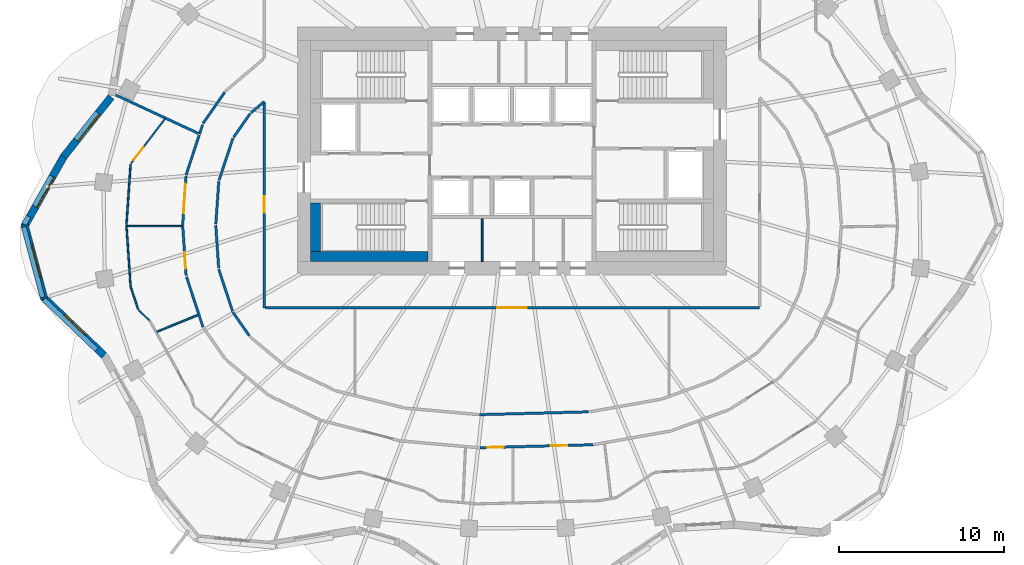
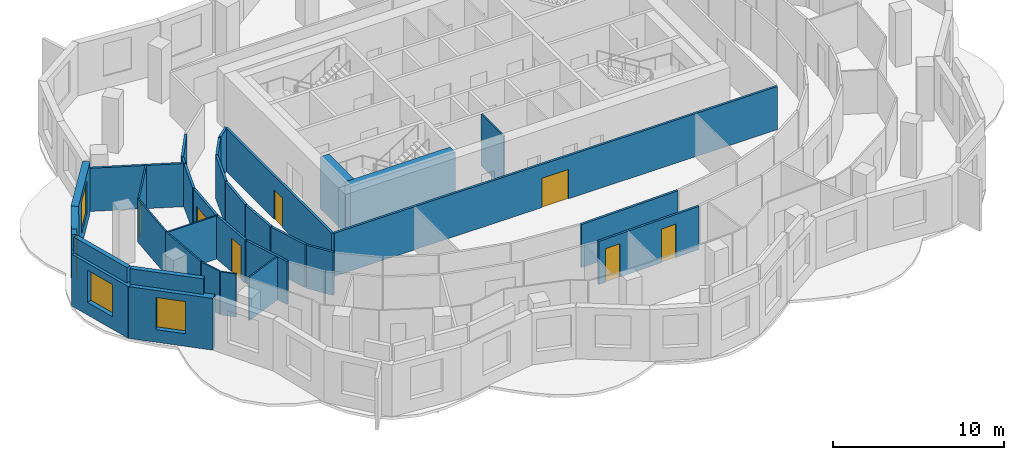
# One storey, part 4 of 11: 35 walls, 7 doors, 4 windows, 11 openings.
"""IFC4 building model written with IfcOpenShell, lengths in metres."""

from ifc_helpers import new_model, si_unit, direction, frame, frame_2d, origin, place, context, subcontext, project, spatial, rectangle, extrude, material, layer, layer_set, type_object, element, fill, save


model = new_model("IFC4")

# Units and contexts
model_context = context("Model", 3, precision=1e-05, world=origin(), true_north=direction((0.0, 1.0)))
body_context = subcontext(model_context, "Body", "Model", "MODEL_VIEW")
ifc_project = project(units=[si_unit("LENGTHUNIT", "METRE"), si_unit("AREAUNIT", "SQUARE_METRE"), si_unit("VOLUMEUNIT", "CUBIC_METRE"), si_unit("PLANEANGLEUNIT", "RADIAN"), si_unit("MASSUNIT", "GRAM", prefix="KILO")], contexts=[model_context])

# Site, building, storey
site_placement = place(None, origin())
site = spatial("IfcSite", under=ifc_project, at=site_placement, CompositionType="ELEMENT")
building_placement = place(site_placement, origin())
building = spatial("IfcBuilding", under=site, at=building_placement, Name="Rubra Terraces Tower", CompositionType="ELEMENT")
storey_placement = place(building_placement, frame((0.0, 0.0, 185.699951171875)))
storey = spatial("IfcBuildingStorey", under=building, at=storey_placement, Name="L45", CompositionType="ELEMENT", Elevation=185.699951171875)

# Wall, opening, window
ifc_material_1 = material(Name="Brick masonry red-brown", Category="masonry")
ifc_layer_1 = layer(ifc_material_1, 0.449951171875)
ifc_layer_set_1 = layer_set([ifc_layer_1], Name="Brick masonry red-brown")
wall_type_1 = type_object("IfcWallType", Name="Brick facade wall 450", PredefinedType="SOLIDWALL", material=ifc_layer_set_1)
wall_1_placement = place(storey_placement, frame((-24.2822265625, 7.773681640625, 0.0), z_axis=(0.0, 0.0, 1.0), x_axis=(-0.621735490397, -0.783227285008, 0.0)))
wall_1 = element("IfcWall", 1, at=wall_1_placement, inside=storey, type_object=wall_type_1, Name="Facade wall L45 bay 19", PredefinedType="SOLIDWALL", context=body_context, shape_type="SweptSolid", body=[
    extrude(rectangle(XDim=4.62451171875, YDim=0.449951171875, at=frame_2d((2.312255859375, 0.0))), origin(), (0.0, 0.0, 1.0), 3.699951171875),
])
opening_1_placement = place(wall_1_placement, frame((1.26220703125, 0.0, 0.89990234375)))
opening_1 = element("IfcOpeningElement", 2, at=opening_1_placement, cuts=wall_1, Name="Opening W1B", PredefinedType="OPENING", context=body_context, shape_type="SweptSolid", body=[
    extrude(rectangle(XDim=2.10009765625, YDim=2.300048828125, at=frame_2d((1.050048828125, 1.14990234375))), frame((0.0, 0.23486328125, 0.0), z_axis=(0.0, -1.0, 0.0), x_axis=(1.0, 0.0, 0.0)), (0.0, 0.0, 1.0), 0.469970703125),
])
ifc_material_2 = material(Name="Clear glass in aluminium frame", Category="aluminium")
window_type_1 = type_object("IfcWindowType", Name="Fixed deep-set window tall storey 2100 x 2300", PartitioningType="SINGLE_PANEL", PredefinedType="WINDOW", material=ifc_material_2)
window_1_placement = place(opening_1_placement, origin())
window_1 = element("IfcWindow", 3, at=window_1_placement, inside=storey, type_object=window_type_1, Name="Window L45 bay 19", OverallHeight=2.300048828125, OverallWidth=2.10009765625, PartitioningType="SINGLE_PANEL", PredefinedType="WINDOW", context=body_context, shape_type="SweptSolid", body=[
    extrude(rectangle(XDim=2.10009765625, YDim=2.300048828125, at=frame_2d((1.050048828125, 1.14990234375))), frame((0.0, 0.135009765625, 0.0), z_axis=(0.0, -1.0, 0.0), x_axis=(1.0, 0.0, 0.0)), (0.0, 0.0, 1.0), 0.06005859375),
])
fill(opening_1, window_1)

wall_2_placement = place(storey_placement, frame((-27.138427734375, 4.180908203125, 0.0), z_axis=(0.0, 0.0, 1.0), x_axis=(-0.491588303761, -0.870827732451, 0.0)))
wall_2 = element("IfcWall", 4, at=wall_2_placement, inside=storey, type_object=wall_type_1, Name="Facade wall L45 bay 20", PredefinedType="SOLIDWALL", context=body_context, shape_type="SweptSolid", body=[
    extrude(rectangle(XDim=4.924072265625, YDim=0.449951171875, at=frame_2d((2.4619140625, 0.0))), origin(), (0.0, 0.0, 1.0), 3.699951171875),
])
opening_2_placement = place(wall_2_placement, frame((1.412109375, 0.0, 0.89990234375)))
opening_2 = element("IfcOpeningElement", 5, at=opening_2_placement, cuts=wall_2, Name="Opening W1B", PredefinedType="OPENING", context=body_context, shape_type="SweptSolid", body=[
    extrude(rectangle(XDim=2.10009765625, YDim=2.300048828125, at=frame_2d((1.050048828125, 1.14990234375))), frame((0.0, 0.23486328125, 0.0), z_axis=(0.0, -1.0, 0.0), x_axis=(1.0, 0.0, 0.0)), (0.0, 0.0, 1.0), 0.469970703125),
])
window_2_placement = place(opening_2_placement, origin())
window_2 = element("IfcWindow", 6, at=window_2_placement, inside=storey, type_object=window_type_1, Name="Window L45 bay 20", OverallHeight=2.300048828125, OverallWidth=2.10009765625, PartitioningType="SINGLE_PANEL", PredefinedType="WINDOW", context=body_context, shape_type="SweptSolid", body=[
    extrude(rectangle(XDim=2.10009765625, YDim=2.300048828125, at=frame_2d((1.050048828125, 1.14990234375))), frame((0.0, 0.135009765625, 0.0), z_axis=(0.0, -1.0, 0.0), x_axis=(1.0, 0.0, 0.0)), (0.0, 0.0, 1.0), 0.06005859375),
])
fill(opening_2, window_2)

wall_3_placement = place(storey_placement, frame((-29.539794921875, 0.05810546875, 0.0), z_axis=(0.0, 0.0, 1.0), x_axis=(0.258581372102, -0.96598947924, 0.0)))
wall_3 = element("IfcWall", 7, at=wall_3_placement, inside=storey, type_object=wall_type_1, Name="Facade wall L45 bay 21", PredefinedType="SOLIDWALL", context=body_context, shape_type="SweptSolid", body=[
    extrude(rectangle(XDim=4.68017578125, YDim=0.449951171875, at=frame_2d((2.340087890625, 0.0))), origin(), (0.0, 0.0, 1.0), 3.699951171875),
])
opening_3_placement = place(wall_3_placement, frame((1.2900390625, 0.0, 0.89990234375)))
opening_3 = element("IfcOpeningElement", 8, at=opening_3_placement, cuts=wall_3, Name="Opening W1B", PredefinedType="OPENING", context=body_context, shape_type="SweptSolid", body=[
    extrude(rectangle(XDim=2.10009765625, YDim=2.300048828125, at=frame_2d((1.050048828125, 1.14990234375))), frame((0.0, 0.23486328125, 0.0), z_axis=(0.0, -1.0, 0.0), x_axis=(1.0, 0.0, 0.0)), (0.0, 0.0, 1.0), 0.469970703125),
])
window_3_placement = place(opening_3_placement, origin())
window_3 = element("IfcWindow", 9, at=window_3_placement, inside=storey, type_object=window_type_1, Name="Window L45 bay 21", OverallHeight=2.300048828125, OverallWidth=2.10009765625, PartitioningType="SINGLE_PANEL", PredefinedType="WINDOW", context=body_context, shape_type="SweptSolid", body=[
    extrude(rectangle(XDim=2.10009765625, YDim=2.300048828125, at=frame_2d((1.050048828125, 1.14990234375))), frame((0.0, 0.135009765625, 0.0), z_axis=(0.0, -1.0, 0.0), x_axis=(1.0, 0.0, 0.0)), (0.0, 0.0, 1.0), 0.06005859375),
])
fill(opening_3, window_3)

wall_4_placement = place(storey_placement, frame((-28.38720703125, -4.362548828125, 0.0), z_axis=(0.0, 0.0, 1.0), x_axis=(0.722717697728, -0.691143349379, 0.0)))
wall_4 = element("IfcWall", 10, at=wall_4_placement, inside=storey, type_object=wall_type_1, Name="Facade wall L45 bay 22", PredefinedType="SOLIDWALL", context=body_context, shape_type="SweptSolid", body=[
    extrude(rectangle(XDim=5.103271484375, YDim=0.449951171875, at=frame_2d((2.5517578125, 0.0))), origin(), (0.0, 0.0, 1.0), 3.699951171875),
])
opening_4_placement = place(wall_4_placement, frame((1.651611328125, 0.0, 0.89990234375)))
opening_4 = element("IfcOpeningElement", 11, at=opening_4_placement, cuts=wall_4, Name="Opening W6B", PredefinedType="OPENING", context=body_context, shape_type="SweptSolid", body=[
    extrude(rectangle(XDim=1.800048828125, YDim=2.300048828125, at=frame_2d((0.89990234375, 1.14990234375))), frame((0.0, 0.23486328125, 0.0), z_axis=(0.0, -1.0, 0.0), x_axis=(1.0, 0.0, 0.0)), (0.0, 0.0, 1.0), 0.469970703125),
])
window_type_2 = type_object("IfcWindowType", Name="Fixed deep-set window at wind fin tall storey 1800 x 2300", PartitioningType="SINGLE_PANEL", PredefinedType="WINDOW", material=ifc_material_2)
window_4_placement = place(opening_4_placement, origin())
window_4 = element("IfcWindow", 12, at=window_4_placement, inside=storey, type_object=window_type_2, Name="Window L45 bay 22", OverallHeight=2.300048828125, OverallWidth=1.800048828125, PartitioningType="SINGLE_PANEL", PredefinedType="WINDOW", context=body_context, shape_type="SweptSolid", body=[
    extrude(rectangle(XDim=1.800048828125, YDim=2.300048828125, at=frame_2d((0.89990234375, 1.14990234375))), frame((0.0, 0.135009765625, 0.0), z_axis=(0.0, -1.0, 0.0), x_axis=(1.0, 0.0, 0.0)), (0.0, 0.0, 1.0), 0.06005859375),
])
fill(opening_4, window_4)

# Walls
ifc_layer_2 = layer(ifc_material_1, 0.300048828125)
ifc_layer_set_2 = layer_set([ifc_layer_2], Name="Brick masonry red-brown")
wall_type_2 = type_object("IfcWallType", Name="Brick parapet 300", PredefinedType="PARAPET", material=ifc_layer_set_2)
wall_5_placement = place(storey_placement, frame((-29.27880859375, 0.541748046875, 3.900146484375), z_axis=(0.0, 0.0, 1.0), x_axis=(-0.491912136679, -0.870644847103, 0.0)))
element("IfcWall", 13, at=wall_5_placement, inside=storey, type_object=wall_type_2, Name="Parapet L45 bay 20", PredefinedType="PARAPET", context=body_context, shape_type="SweptSolid", body=[
    extrude(rectangle(XDim=0.554443359375, YDim=0.300048828125, at=frame_2d((0.27734375, 0.0))), origin(), (0.0, 0.0, 1.0), 1.099853515625),
])
for number, where, z_axis, x_axis, name in (
    (14, (-29.57275390625, -0.1083984375, 3.900146484375), (0.0, 0.0, 1.0), (0.258523195294, -0.96600505045, 0.0), "Parapet L45 bay 21"),
    (15, (-28.36083984375, -4.491455078125, 3.900146484375), (0.0, 0.0, 1.0), (0.722694709068, -0.691167387457, 0.0), "Parapet L45 bay 22"),
):
    element("IfcWall", number, at=place(storey_placement, frame(where, z_axis=z_axis, x_axis=x_axis)), inside=storey, type_object=wall_type_2, Name=name, PredefinedType="PARAPET", context=body_context, shape_type="SweptSolid", body=[
        extrude(rectangle(XDim=4.4140625, YDim=0.300048828125, at=frame_2d((2.20703125, 0.0))), origin(), (0.0, 0.0, 1.0), 1.099853515625),
    ])
ifc_material_3 = material(Name="Plasterboard on steel stud, mineral wool infill", Category="steel")
ifc_layer_3 = layer(ifc_material_3, 0.14990234375)
ifc_layer_set_3 = layer_set([ifc_layer_3], Name="Plasterboard on steel stud, mineral wool infill")
wall_type_3 = type_object("IfcWallType", Name="CORRIDOR PARTITION 150", PredefinedType="PARTITIONING", material=ifc_layer_set_3)
wall_6_placement = place(storey_placement, frame((-17.3974609375, 8.0615234375, 0.0), z_axis=(0.0, 0.0, 1.0), x_axis=(-0.572118665737, -0.820170855563, 0.0)))
element("IfcWall", 16, at=wall_6_placement, inside=storey, type_object=wall_type_3, Name="PARTITION", PredefinedType="PARTITIONING", context=body_context, shape_type="SweptSolid", body=[
    extrude(rectangle(XDim=2.30615234375, YDim=0.14990234375, at=frame_2d((1.153076171875, 0.0))), origin(), (0.0, 0.0, 1.0), 3.083984375),
])
wall_7_placement = place(storey_placement, frame((-18.740234375, 6.098876953125, 0.0), z_axis=(0.0, 0.0, 1.0), x_axis=(-0.311689742103, -0.950183932019, 0.0)))
element("IfcWall", 17, at=wall_7_placement, inside=storey, type_object=wall_type_3, Name="PARTITION", PredefinedType="PARTITIONING", context=body_context, shape_type="SweptSolid", body=[
    extrude(rectangle(XDim=0.59765625, YDim=0.14990234375, at=frame_2d((0.298828125, 0.0))), origin(), (0.0, 0.0, 1.0), 3.083984375),
])
wall_8_placement = place(storey_placement, frame((-18.949951171875, 5.459716796875, 0.0), z_axis=(0.0, 0.0, 1.0), x_axis=(-0.311917216049, -0.950109283363, 0.0)))
element("IfcWall", 18, at=wall_8_placement, inside=storey, type_object=wall_type_3, Name="PARTITION", PredefinedType="PARTITIONING", context=body_context, shape_type="SweptSolid", body=[
    extrude(rectangle(XDim=2.53369140625, YDim=0.14990234375, at=frame_2d((1.266845703125, 0.0))), origin(), (0.0, 0.0, 1.0), 3.083984375),
])

# Wall, opening, door
wall_9_placement = place(storey_placement, frame((-19.745361328125, 2.9775390625, 0.0), z_axis=(0.0, 0.0, 1.0), x_axis=(-0.068142324, -0.997675610447, 0.0)))
wall_9 = element("IfcWall", 19, at=wall_9_placement, inside=storey, type_object=wall_type_3, Name="PARTITION", PredefinedType="PARTITIONING", context=body_context, shape_type="SweptSolid", body=[
    extrude(rectangle(XDim=2.984375, YDim=0.14990234375, at=frame_2d((1.4921875, 0.0))), origin(), (0.0, 0.0, 1.0), 3.083984375),
])
opening_5_placement = place(wall_9_placement, frame((0.449951171875, 0.0, 0.0)))
opening_5 = element("IfcOpeningElement", 20, at=opening_5_placement, cuts=wall_9, Name="Opening 45-102", PredefinedType="OPENING", context=body_context, shape_type="SweptSolid", body=[
    extrude(rectangle(XDim=1.800048828125, YDim=2.10009765625, at=frame_2d((0.89990234375, 1.050048828125))), frame((0.0, 0.0849609375, 0.0), z_axis=(0.0, -1.0, 0.0), x_axis=(1.0, 0.0, 0.0)), (0.0, 0.0, 1.0), 0.169921875),
])
ifc_material_4 = material(Name="Painted timber door leaf, double", Category="wood")
door_type_1 = type_object("IfcDoorType", Name="ROOM DOUBLE DOOR 1800 X 2100", OperationType="DOUBLE_DOOR_SINGLE_SWING", PredefinedType="DOOR", material=ifc_material_4)
door_1_placement = place(opening_5_placement, origin())
door_1 = element("IfcDoor", 21, at=door_1_placement, inside=storey, type_object=door_type_1, Name="DOOR 45-102", OperationType="DOUBLE_DOOR_SINGLE_SWING", OverallHeight=2.10009765625, OverallWidth=1.800048828125, PredefinedType="DOOR", context=body_context, shape_type="SweptSolid", body=[
    extrude(rectangle(XDim=1.800048828125, YDim=2.10009765625, at=frame_2d((0.89990234375, 1.050048828125))), frame((0.0, 0.02490234375, 0.0), z_axis=(0.0, -1.0, 0.0), x_axis=(1.0, 0.0, 0.0)), (0.0, 0.0, 1.0), 0.050048828125),
])
fill(opening_5, door_1)

wall_10_placement = place(storey_placement, frame((-19.943603515625, -0.07470703125, 0.0), z_axis=(0.0, 0.0, 1.0), x_axis=(0.068136763128, -0.997675990245, 0.0)))
wall_10 = element("IfcWall", 22, at=wall_10_placement, inside=storey, type_object=wall_type_3, Name="PARTITION", PredefinedType="PARTITIONING", context=body_context, shape_type="SweptSolid", body=[
    extrude(rectangle(XDim=2.984619140625, YDim=0.14990234375, at=frame_2d((1.4921875, 0.0))), origin(), (0.0, 0.0, 1.0), 3.083984375),
])
opening_6_placement = place(wall_10_placement, frame((1.550048828125, 0.0, 0.0)))
opening_6 = element("IfcOpeningElement", 23, at=opening_6_placement, cuts=wall_10, Name="Opening 45-104", PredefinedType="OPENING", context=body_context, shape_type="SweptSolid", body=[
    extrude(rectangle(XDim=1.0, YDim=2.39990234375, at=frame_2d((0.5, 1.199951171875))), frame((0.0, 0.0849609375, 0.0), z_axis=(0.0, -1.0, 0.0), x_axis=(1.0, 0.0, 0.0)), (0.0, 0.0, 1.0), 0.169921875),
])
ifc_material_5 = material(Name="Glazed aluminium meeting door leaf", Category="aluminium")
door_type_2 = type_object("IfcDoorType", Name="MEETING ROOM GLAZED DOOR 1000 X 2400", OperationType="SINGLE_SWING_LEFT", PredefinedType="DOOR", material=ifc_material_5)
door_2_placement = place(opening_6_placement, origin())
door_2 = element("IfcDoor", 24, at=door_2_placement, inside=storey, type_object=door_type_2, Name="DOOR 45-104", OperationType="SINGLE_SWING_RIGHT", OverallHeight=2.39990234375, OverallWidth=1.0, PredefinedType="DOOR", context=body_context, shape_type="SweptSolid", body=[
    extrude(rectangle(XDim=1.0, YDim=2.39990234375, at=frame_2d((0.5, 1.199951171875))), frame((0.0, 0.02490234375, 0.0), z_axis=(0.0, -1.0, 0.0), x_axis=(1.0, 0.0, 0.0)), (0.0, 0.0, 1.0), 0.050048828125),
])
fill(opening_6, door_2)

# Wall
wall_11_placement = place(storey_placement, frame((-19.716796875, -3.123779296875, 0.0), z_axis=(0.0, 0.0, 1.0), x_axis=(0.31188427026, -0.950120098706, 0.0)))
element("IfcWall", 25, at=wall_11_placement, inside=storey, type_object=wall_type_3, Name="PARTITION", PredefinedType="PARTITIONING", context=body_context, shape_type="SweptSolid", body=[
    extrude(rectangle(XDim=3.206298828125, YDim=0.14990234375, at=frame_2d((1.60302734375, 0.0))), origin(), (0.0, 0.0, 1.0), 3.083984375),
])

# Wall, openings, doors
wall_12_placement = place(storey_placement, frame((-1.951171875, -13.472412109375, 0.0), z_axis=(0.0, 0.0, 1.0), x_axis=(0.999663898238, 0.025924709429, 0.0)))
wall_12 = element("IfcWall", 26, at=wall_12_placement, inside=storey, type_object=wall_type_3, Name="PARTITION", PredefinedType="PARTITIONING", context=body_context, shape_type="SweptSolid", body=[
    extrude(rectangle(XDim=6.87451171875, YDim=0.14990234375, at=frame_2d((3.437255859375, 0.0))), origin(), (0.0, 0.0, 1.0), 3.083984375),
])
opening_7_placement = place(wall_12_placement, frame((0.449951171875, 0.0, 0.0)))
opening_7 = element("IfcOpeningElement", 27, at=opening_7_placement, cuts=wall_12, Name="Opening 45-109", PredefinedType="OPENING", context=body_context, shape_type="SweptSolid", body=[
    extrude(rectangle(XDim=1.0, YDim=2.39990234375, at=frame_2d((0.5, 1.199951171875))), frame((0.0, 0.0849609375, 0.0), z_axis=(0.0, -1.0, 0.0), x_axis=(1.0, 0.0, 0.0)), (0.0, 0.0, 1.0), 0.169921875),
])
opening_8_placement = place(wall_12_placement, frame((4.285888671875, 0.0, 0.0)))
opening_8 = element("IfcOpeningElement", 28, at=opening_8_placement, cuts=wall_12, Name="Opening 45-110", PredefinedType="OPENING", context=body_context, shape_type="SweptSolid", body=[
    extrude(rectangle(XDim=1.0, YDim=2.39990234375, at=frame_2d((0.5, 1.199951171875))), frame((0.0, 0.0849609375, 0.0), z_axis=(0.0, -1.0, 0.0), x_axis=(1.0, 0.0, 0.0)), (0.0, 0.0, 1.0), 0.169921875),
])
door_3_placement = place(opening_7_placement, origin())
door_3 = element("IfcDoor", 29, at=door_3_placement, inside=storey, type_object=door_type_2, Name="DOOR 45-109", OperationType="SINGLE_SWING_RIGHT", OverallHeight=2.39990234375, OverallWidth=1.0, PredefinedType="DOOR", context=body_context, shape_type="SweptSolid", body=[
    extrude(rectangle(XDim=1.0, YDim=2.39990234375, at=frame_2d((0.5, 1.199951171875))), frame((0.0, 0.02490234375, 0.0), z_axis=(0.0, -1.0, 0.0), x_axis=(1.0, 0.0, 0.0)), (0.0, 0.0, 1.0), 0.050048828125),
])
fill(opening_7, door_3)
door_4_placement = place(opening_8_placement, origin())
door_4 = element("IfcDoor", 30, at=door_4_placement, inside=storey, type_object=door_type_2, Name="DOOR 45-110", OperationType="SINGLE_SWING_RIGHT", OverallHeight=2.39990234375, OverallWidth=1.0, PredefinedType="DOOR", context=body_context, shape_type="SweptSolid", body=[
    extrude(rectangle(XDim=1.0, YDim=2.39990234375, at=frame_2d((0.5, 1.199951171875))), frame((0.0, 0.02490234375, 0.0), z_axis=(0.0, -1.0, 0.0), x_axis=(1.0, 0.0, 0.0)), (0.0, 0.0, 1.0), 0.050048828125),
])
fill(opening_8, door_4)

# Walls
wall_13_placement = place(storey_placement, frame((4.64453125, -11.30078125, 0.0), z_axis=(0.0, 0.0, 1.0), x_axis=(-0.9996648469, -0.02588810291, 0.0)))
element("IfcWall", 31, at=wall_13_placement, inside=storey, type_object=wall_type_3, Name="PARTITION", PredefinedType="PARTITIONING", context=body_context, shape_type="SweptSolid", body=[
    extrude(rectangle(XDim=6.61083984375, YDim=0.14990234375, at=frame_2d((3.305419921875, 0.0))), origin(), (0.0, 0.0, 1.0), 3.083984375),
])
wall_14_placement = place(storey_placement, frame((-15.911865234375, -6.695556640625, 0.0), z_axis=(0.0, 0.0, 1.0), x_axis=(-0.572078533763, 0.820198848578, 0.0)))
element("IfcWall", 32, at=wall_14_placement, inside=storey, type_object=wall_type_3, Name="PARTITION", PredefinedType="PARTITIONING", context=body_context, shape_type="SweptSolid", body=[
    extrude(rectangle(XDim=1.74169921875, YDim=0.14990234375, at=frame_2d((0.870849609375, 0.0))), origin(), (0.0, 0.0, 1.0), 3.083984375),
])
wall_15_placement = place(storey_placement, frame((-16.931640625, -5.19580078125, 0.0), z_axis=(0.0, 0.0, 1.0), x_axis=(-0.311904957484, 0.950113307715, 0.0)))
element("IfcWall", 33, at=wall_15_placement, inside=storey, type_object=wall_type_3, Name="PARTITION", PredefinedType="PARTITIONING", context=body_context, shape_type="SweptSolid", body=[
    extrude(rectangle(XDim=2.662109375, YDim=0.14990234375, at=frame_2d((1.3310546875, 0.0))), origin(), (0.0, 0.0, 1.0), 3.083984375),
])
wall_16_placement = place(storey_placement, frame((-17.76708984375, -2.591552734375, 0.0), z_axis=(0.0, 0.0, 1.0), x_axis=(-0.068140828228, 0.997675712608, 0.0)))
element("IfcWall", 34, at=wall_16_placement, inside=storey, type_object=wall_type_3, Name="PARTITION", PredefinedType="PARTITIONING", context=body_context, shape_type="SweptSolid", body=[
    extrude(rectangle(XDim=2.59765625, YDim=0.14990234375, at=frame_2d((1.298828125, 0.0))), origin(), (0.0, 0.0, 1.0), 3.083984375),
])
wall_17_placement = place(storey_placement, frame((-17.939208984375, 0.07470703125, 0.0), z_axis=(0.0, 0.0, 1.0), x_axis=(0.068227980697, 0.997669756307, 0.0)))
element("IfcWall", 35, at=wall_17_placement, inside=storey, type_object=wall_type_3, Name="PARTITION", PredefinedType="PARTITIONING", context=body_context, shape_type="SweptSolid", body=[
    extrude(rectangle(XDim=2.597900390625, YDim=0.14990234375, at=frame_2d((1.298828125, 0.0))), origin(), (0.0, 0.0, 1.0), 3.083984375),
])
wall_18_placement = place(storey_placement, frame((-17.738525390625, 2.73779296875, 0.0), z_axis=(0.0, 0.0, 1.0), x_axis=(0.311904957484, 0.950113307715, 0.0)))
element("IfcWall", 36, at=wall_18_placement, inside=storey, type_object=wall_type_3, Name="PARTITION", PredefinedType="PARTITIONING", context=body_context, shape_type="SweptSolid", body=[
    extrude(rectangle(XDim=2.662109375, YDim=0.14990234375, at=frame_2d((1.3310546875, 0.0))), origin(), (0.0, 0.0, 1.0), 3.083984375),
])
wall_19_placement = place(storey_placement, frame((-16.865478515625, 5.32861328125, 0.0), z_axis=(0.0, 0.0, 1.0), x_axis=(0.572096615639, 0.820186236397, 0.0)))
element("IfcWall", 37, at=wall_19_placement, inside=storey, type_object=wall_type_3, Name="PARTITION", PredefinedType="PARTITIONING", context=body_context, shape_type="SweptSolid", body=[
    extrude(rectangle(XDim=1.752685546875, YDim=0.14990234375, at=frame_2d((0.87646484375, 0.0))), origin(), (0.0, 0.0, 1.0), 3.083984375),
])
wall_20_placement = place(storey_placement, frame((-15.805419921875, 6.814453125, 0.0), z_axis=(0.0, 0.0, 1.0), x_axis=(0.762298381233, 0.647225755027, 0.0)))
element("IfcWall", 38, at=wall_20_placement, inside=storey, type_object=wall_type_3, Name="PARTITION", PredefinedType="PARTITIONING", context=body_context, shape_type="SweptSolid", body=[
    extrude(rectangle(XDim=1.056640625, YDim=0.14990234375, at=frame_2d((0.5283203125, 0.0))), origin(), (0.0, 0.0, 1.0), 3.083984375),
])

# Wall, opening, door
wall_21_placement = place(storey_placement, frame((-15.0, 7.423095703125, 0.0), z_axis=(0.0, 0.0, 1.0), x_axis=(0.0, -1.0, 0.0)))
wall_21 = element("IfcWall", 39, at=wall_21_placement, inside=storey, type_object=wall_type_3, Name="PARTITION", PredefinedType="PARTITIONING", context=body_context, shape_type="SweptSolid", body=[
    extrude(rectangle(XDim=12.423095703125, YDim=0.14990234375, at=frame_2d((6.21142578125, 0.0))), origin(), (0.0, 0.0, 1.0), 3.083984375),
])
opening_9_placement = place(wall_21_placement, frame((5.674072265625, 0.0, 0.0)))
opening_9 = element("IfcOpeningElement", 40, at=opening_9_placement, cuts=wall_21, Name="Opening 45-119", PredefinedType="OPENING", context=body_context, shape_type="SweptSolid", body=[
    extrude(rectangle(XDim=1.0, YDim=2.10009765625, at=frame_2d((0.5, 1.050048828125))), frame((0.0, 0.0849609375, 0.0), z_axis=(0.0, -1.0, 0.0), x_axis=(1.0, 0.0, 0.0)), (0.0, 0.0, 1.0), 0.169921875),
])
ifc_material_6 = material(Name="Painted timber door leaf", Category="wood")
door_type_3 = type_object("IfcDoorType", Name="ROOM DOOR 1000 X 2100", OperationType="SINGLE_SWING_LEFT", PredefinedType="DOOR", material=ifc_material_6)
door_5_placement = place(opening_9_placement, origin())
door_5 = element("IfcDoor", 41, at=door_5_placement, inside=storey, type_object=door_type_3, Name="DOOR 45-119", OperationType="SINGLE_SWING_RIGHT", OverallHeight=2.10009765625, OverallWidth=1.0, PredefinedType="DOOR", context=body_context, shape_type="SweptSolid", body=[
    extrude(rectangle(XDim=1.0, YDim=2.10009765625, at=frame_2d((0.5, 1.050048828125))), frame((0.0, 0.02490234375, 0.0), z_axis=(0.0, -1.0, 0.0), x_axis=(1.0, 0.0, 0.0)), (0.0, 0.0, 1.0), 0.050048828125),
])
fill(opening_9, door_5)

wall_22_placement = place(storey_placement, frame((-14.925048828125, -5.0, 0.0), z_axis=(0.0, 0.0, 1.0), x_axis=(1.0, 0.0, 0.0)))
wall_22 = element("IfcWall", 42, at=wall_22_placement, inside=storey, type_object=wall_type_3, Name="PARTITION", PredefinedType="PARTITIONING", context=body_context, shape_type="SweptSolid", body=[
    extrude(rectangle(XDim=29.925048828125, YDim=0.14990234375, at=frame_2d((14.96240234375, 0.0))), origin(), (0.0, 0.0, 1.0), 3.083984375),
])
opening_10_placement = place(wall_22_placement, frame((14.02490234375, 0.0, 0.0)))
opening_10 = element("IfcOpeningElement", 43, at=opening_10_placement, cuts=wall_22, Name="Opening 45-120", PredefinedType="OPENING", context=body_context, shape_type="SweptSolid", body=[
    extrude(rectangle(XDim=1.800048828125, YDim=2.10009765625, at=frame_2d((0.89990234375, 1.050048828125))), frame((0.0, 0.0849609375, 0.0), z_axis=(0.0, -1.0, 0.0), x_axis=(1.0, 0.0, 0.0)), (0.0, 0.0, 1.0), 0.169921875),
])
door_6_placement = place(opening_10_placement, origin())
door_6 = element("IfcDoor", 44, at=door_6_placement, inside=storey, type_object=door_type_1, Name="DOOR 45-120", OperationType="DOUBLE_DOOR_SINGLE_SWING", OverallHeight=2.10009765625, OverallWidth=1.800048828125, PredefinedType="DOOR", context=body_context, shape_type="SweptSolid", body=[
    extrude(rectangle(XDim=1.800048828125, YDim=2.10009765625, at=frame_2d((0.89990234375, 1.050048828125))), frame((0.0, 0.02490234375, 0.0), z_axis=(0.0, -1.0, 0.0), x_axis=(1.0, 0.0, 0.0)), (0.0, 0.0, 1.0), 0.050048828125),
])
fill(opening_10, door_6)

# Walls
ifc_material_7 = material(Name="Concrete C40", Category="concrete")
ifc_layer_4 = layer(ifc_material_7, 0.60009765625)
ifc_layer_set_4 = layer_set([ifc_layer_4], Name="Concrete C40")
wall_type_4 = type_object("IfcWallType", Name="Core lining wall 600 concrete", PredefinedType="SOLIDWALL", material=ifc_layer_set_4)
wall_23_placement = place(storey_placement, frame((-12.199951171875, -1.89990234375, 0.0), z_axis=(0.0, 0.0, 1.0), x_axis=(1.0, 0.0, 0.0)))
element("IfcWall", 45, at=wall_23_placement, inside=storey, type_object=wall_type_4, Name="CORE LINING WALL L45", PredefinedType="SOLIDWALL", context=body_context, shape_type="SweptSolid", body=[
    extrude(rectangle(XDim=7.099853515625, YDim=0.60009765625, at=frame_2d((3.5498046875, 0.0))), origin(), (0.0, 0.0, 1.0), 3.699951171875),
])
wall_24_placement = place(storey_placement, frame((-11.89990234375, -1.60009765625, 0.0), z_axis=(0.0, 0.0, 1.0), x_axis=(0.0, 1.0, 0.0)))
element("IfcWall", 46, at=wall_24_placement, inside=storey, type_object=wall_type_4, Name="CORE LINING WALL L45", PredefinedType="SOLIDWALL", context=body_context, shape_type="SweptSolid", body=[
    extrude(rectangle(XDim=2.9501953125, YDim=0.60009765625, at=frame_2d((1.47509765625, 0.0))), origin(), (0.0, 0.0, 1.0), 3.699951171875),
])
ifc_material_8 = material(Name="Plasterboard on steel stud", Category="steel")
ifc_layer_5 = layer(ifc_material_8, 0.10009765625)
ifc_layer_set_5 = layer_set([ifc_layer_5], Name="Plasterboard on steel stud")
wall_type_5 = type_object("IfcWallType", Name="ROOM PARTITION 100", PredefinedType="PARTITIONING", material=ifc_layer_set_5)
wall_25_placement = place(storey_placement, frame((-21.9716796875, -5.7587890625, 0.0), z_axis=(0.0, 0.0, 1.0), x_axis=(-0.722767970173, 0.691090776448, 0.0)))
element("IfcWall", 47, at=wall_25_placement, inside=storey, type_object=wall_type_5, Name="PARTITION", PredefinedType="PARTITIONING", context=body_context, shape_type="SweptSolid", body=[
    extrude(rectangle(XDim=0.9248046875, YDim=0.10009765625, at=frame_2d((0.46240234375, 0.0))), origin(), (0.0, 0.0, 1.0), 3.083984375),
])
wall_26_placement = place(storey_placement, frame((-22.65576171875, -5.072021484375, 0.0), z_axis=(0.0, 0.0, 1.0), x_axis=(-0.31198877929, 0.950085786441, 0.0)))
element("IfcWall", 48, at=wall_26_placement, inside=storey, type_object=wall_type_5, Name="PARTITION", PredefinedType="PARTITIONING", context=body_context, shape_type="SweptSolid", body=[
    extrude(rectangle(XDim=1.43505859375, YDim=0.10009765625, at=frame_2d((0.717529296875, 0.0))), origin(), (0.0, 0.0, 1.0), 3.083984375),
])
for number, where, z_axis, x_axis, name in (
    (49, (-23.106689453125, -3.65869140625, 0.0), (0.0, 0.0, 1.0), (-0.068171479083, 0.997673618695, 0.0), "PARTITION"),
    (50, (-23.353515625, 0.0498046875, 0.0), (0.0, 0.0, 1.0), (0.068171479083, 0.997673618695, 0.0), "PARTITION"),
):
    element("IfcWall", number, at=place(storey_placement, frame(where, z_axis=z_axis, x_axis=x_axis)), inside=storey, type_object=wall_type_5, Name=name, PredefinedType="PARTITIONING", context=body_context, shape_type="SweptSolid", body=[
        extrude(rectangle(XDim=3.667236328125, YDim=0.10009765625, at=frame_2d((1.83349609375, 0.0))), origin(), (0.0, 0.0, 1.0), 3.083984375),
    ])

# Wall, opening, door
wall_27_placement = place(storey_placement, frame((-23.0732421875, 3.748291015625, 0.0), z_axis=(0.0, 0.0, 1.0), x_axis=(0.604849974507, 0.796339442913, 0.0)))
wall_27 = element("IfcWall", 51, at=wall_27_placement, inside=storey, type_object=wall_type_5, Name="PARTITION", PredefinedType="PARTITIONING", context=body_context, shape_type="SweptSolid", body=[
    extrude(rectangle(XDim=3.42333984375, YDim=0.10009765625, at=frame_2d((1.711669921875, 0.0))), origin(), (0.0, 0.0, 1.0), 3.083984375),
])
opening_11_placement = place(wall_27_placement, frame((0.25, 0.0, 0.0)))
opening_11 = element("IfcOpeningElement", 52, at=opening_11_placement, cuts=wall_27, Name="Opening 45-103", PredefinedType="OPENING", context=body_context, shape_type="SweptSolid", body=[
    extrude(rectangle(XDim=1.0, YDim=2.10009765625, at=frame_2d((0.5, 1.050048828125))), frame((0.0, 0.06005859375, 0.0), z_axis=(0.0, -1.0, 0.0), x_axis=(1.0, 0.0, 0.0)), (0.0, 0.0, 1.0), 0.1201171875),
])
door_7_placement = place(opening_11_placement, origin())
door_7 = element("IfcDoor", 53, at=door_7_placement, inside=storey, type_object=door_type_3, Name="DOOR 45-103", OperationType="SINGLE_SWING_RIGHT", OverallHeight=2.10009765625, OverallWidth=1.0, PredefinedType="DOOR", context=body_context, shape_type="SweptSolid", body=[
    extrude(rectangle(XDim=1.0, YDim=2.10009765625, at=frame_2d((0.5, 1.050048828125))), frame((0.0, 0.02490234375, 0.0), z_axis=(0.0, -1.0, 0.0), x_axis=(1.0, 0.0, 0.0)), (0.0, 0.0, 1.0), 0.050048828125),
])
fill(opening_11, door_7)

# Walls
wall_28_placement = place(storey_placement, frame((-19.945556640625, -0.048828125, 0.0), z_axis=(0.0, 0.0, 1.0), x_axis=(-0.999999143391, -0.001308899402, 0.0)))
element("IfcWall", 54, at=wall_28_placement, inside=storey, type_object=wall_type_5, Name="PARTITION", PredefinedType="PARTITIONING", context=body_context, shape_type="SweptSolid", body=[
    extrude(rectangle(XDim=3.357421875, YDim=0.10009765625, at=frame_2d((1.6787109375, 0.0))), origin(), (0.0, 0.0, 1.0), 3.083984375),
])
wall_29_placement = place(storey_placement, frame((-19.034912109375, -5.44140625, 0.0), z_axis=(0.0, 0.0, 1.0), x_axis=(-0.926424831259, -0.376479789667, 0.0)))
element("IfcWall", 55, at=wall_29_placement, inside=storey, type_object=wall_type_5, Name="PARTITION", PredefinedType="PARTITIONING", context=body_context, shape_type="SweptSolid", body=[
    extrude(rectangle(XDim=2.677001953125, YDim=0.10009765625, at=frame_2d((1.33837890625, 0.0))), origin(), (0.0, 0.0, 1.0), 3.083984375),
])
ifc_layer_6 = layer(ifc_material_8, 0.14990234375)
ifc_layer_set_6 = layer_set([ifc_layer_6], Name="Plasterboard on steel stud")
wall_type_6 = type_object("IfcWallType", Name="ROOM PARTITION 150", PredefinedType="PARTITIONING", material=ifc_layer_set_6)
wall_30_placement = place(storey_placement, frame((-24.003662109375, 7.891845703125, 0.0), z_axis=(0.0, 0.0, 1.0), x_axis=(0.906751372112, -0.421665684131, 0.0)))
element("IfcWall", 56, at=wall_30_placement, inside=storey, type_object=wall_type_6, Name="PARTITION", PredefinedType="PARTITIONING", context=body_context, shape_type="SweptSolid", body=[
    extrude(rectangle(XDim=5.524169921875, YDim=0.14990234375, at=frame_2d((2.76220703125, 0.0))), origin(), (0.0, 0.0, 1.0), 3.083984375),
])
ifc_material_9 = material(Name="Blockwork", Category="masonry")
ifc_layer_7 = layer(ifc_material_9, 0.10009765625)
ifc_layer_set_7 = layer_set([ifc_layer_7], Name="Blockwork")
wall_type_7 = type_object("IfcWallType", Name="Service partition 100 blockwork", PredefinedType="PARTITIONING", material=ifc_layer_set_7)
wall_31_placement = place(storey_placement, frame((-1.800048828125, -2.199951171875, 0.0), z_axis=(0.0, 0.0, 1.0), x_axis=(0.0, 1.0, 0.0)))
element("IfcWall", 57, at=wall_31_placement, inside=storey, type_object=wall_type_7, Name="SERVICE ROOM PARTITION L45", PredefinedType="PARTITIONING", context=body_context, shape_type="SweptSolid", body=[
    extrude(rectangle(XDim=2.599853515625, YDim=0.10009765625, at=frame_2d((1.2998046875, 0.0))), origin(), (0.0, 0.0, 1.0), 3.699951171875),
])

save(model, "model.ifc")
